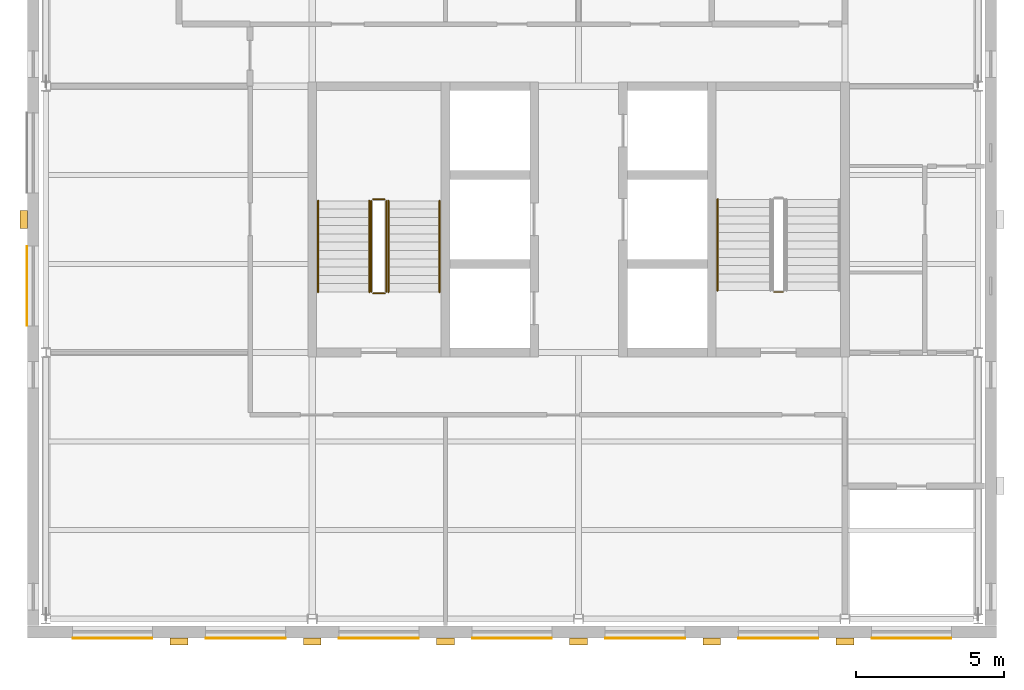
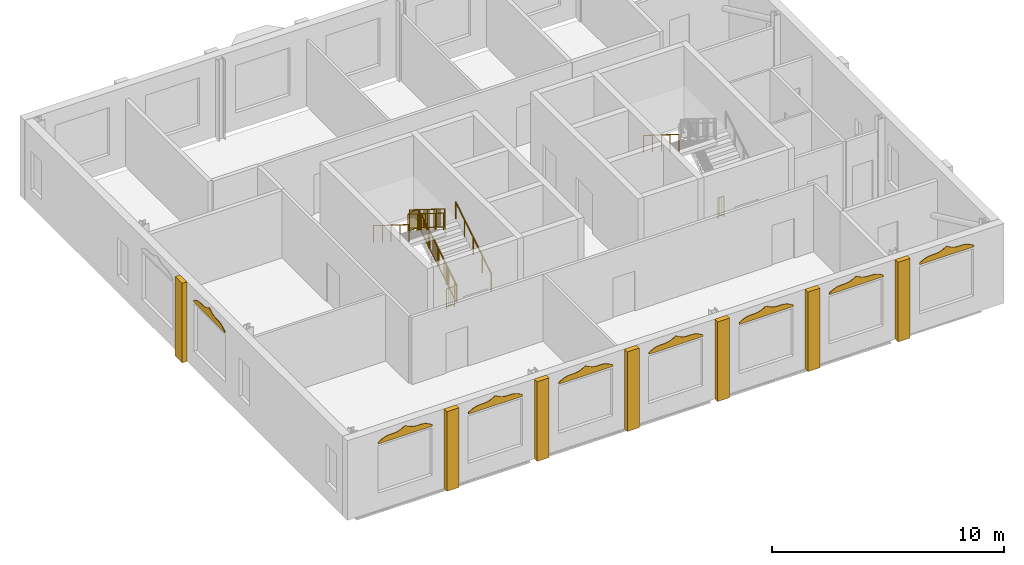
# One storey, part 8 of 9: 15 coverings, 10 railings.
"""IFC4 building model written with IfcOpenShell, lengths in metres."""

from ifc_helpers import new_model, si_unit, direction, frame, origin, origin_2d, place, context, subcontext, project, spatial, polyline, rectangle, circle, outline, extrude, material, layer, layer_set, type_object, element, save


model = new_model("IFC4")

# Units and contexts
model_context = context("Model", 3, precision=1e-05, world=origin(), true_north=direction((0.0, 1.0)))
body_context = subcontext(model_context, "Body", "Model", "MODEL_VIEW")
ifc_project = project(units=[si_unit("LENGTHUNIT", "METRE"), si_unit("AREAUNIT", "SQUARE_METRE"), si_unit("VOLUMEUNIT", "CUBIC_METRE"), si_unit("PLANEANGLEUNIT", "RADIAN"), si_unit("MASSUNIT", "GRAM", prefix="KILO")], contexts=[model_context])

# Site, building, storey
site_placement = place(None, origin())
site = spatial("IfcSite", under=ifc_project, at=site_placement, CompositionType="ELEMENT")
building_placement = place(site_placement, origin())
building = spatial("IfcBuilding", under=site, at=building_placement, Name="Hortulan Conservatory and Botanical Research Centre", CompositionType="ELEMENT")
storey_placement = place(building_placement, frame((0.0, 0.0, 36.0)))
storey = spatial("IfcBuildingStorey", under=building, at=storey_placement, Name="L08", CompositionType="ELEMENT", Elevation=36.0)

# Coverings
ifc_material_1 = material(Name="Faience cladding, cream glaze (non-combustible)", Category="ceramic")
ifc_layer_1 = layer(ifc_material_1, 0.030029296875)
ifc_layer_set_1 = layer_set([ifc_layer_1], Name="Faience Ogee Head Panel Cream 2700x500")
covering_type_1 = type_object("IfcCoveringType", Name="Faience Ogee Head Panel Cream 2700x500", PredefinedType="CLADDING", material=ifc_layer_set_1)
for number, where, z_axis, x_axis, name in (
    (1, (3.60009765625, -0.65087890625, 3.52001953125), (0.0, 0.0, 1.0), (-1.0, 0.0, 0.0), "Ogee head panel"),
    (2, (26.10009765625, -0.65087890625, 3.52001953125), (0.0, 0.0, 1.0), (-1.0, 0.0, 0.0), "Ogee head panel"),
    (3, (30.60009765625, -0.65087890625, 3.52001953125), (0.0, 0.0, 1.0), (-1.0, 0.0, 0.0), "Ogee head panel"),
):
    element("IfcCovering", number, at=place(storey_placement, frame(where, z_axis=z_axis, x_axis=x_axis)), inside=storey, type_object=covering_type_1, Name=name, PredefinedType="CLADDING", context=body_context, shape_type="SweptSolid", body=[
        extrude(outline(polyline([(0.0, 0.0), (2.699951171875, 0.0), (2.699951171875, 0.080078125), (2.58740234375, 0.148681640625), (2.47509765625, 0.208251953125), (2.362548828125, 0.252197265625), (2.25, 0.278076171875), (2.137451171875, 0.28857421875), (2.02490234375, 0.2900390625), (1.91259765625, 0.291259765625), (1.800048828125, 0.3017578125), (1.6875, 0.327880859375), (1.574951171875, 0.371826171875), (1.46240234375, 0.431396484375), (1.35009765625, 0.5), (1.237548828125, 0.431396484375), (1.125, 0.371826171875), (1.012451171875, 0.327880859375), (0.89990234375, 0.3017578125), (0.78759765625, 0.291259765625), (0.675048828125, 0.2900390625), (0.5625, 0.28857421875), (0.449951171875, 0.278076171875), (0.33740234375, 0.252197265625), (0.22509765625, 0.208251953125), (0.112548828125, 0.148681640625), (0.0, 0.080078125), (0.0, 0.0)])), frame((0.0, 0.01513671875, 0.0), z_axis=(0.0, -1.0, 0.0), x_axis=(1.0, 0.0, 0.0)), (0.0, 0.0, 1.0), 0.030029296875),
    ])
ifc_material_2 = material(Name="Faience cladding, waratah crimson glaze (non-combustible)", Category="ceramic")
ifc_layer_2 = layer(ifc_material_2, 0.030029296875)
ifc_layer_set_2 = layer_set([ifc_layer_2], Name="Faience Ogee Head Panel Crimson 2700x500")
covering_type_2 = type_object("IfcCoveringType", Name="Faience Ogee Head Panel Crimson 2700x500", PredefinedType="CLADDING", material=ifc_layer_set_2)
for number, where, z_axis, x_axis, name in (
    (4, (8.10009765625, -0.65087890625, 3.52001953125), (0.0, 0.0, 1.0), (-1.0, 0.0, 0.0), "Ogee head panel"),
    (5, (12.60009765625, -0.65087890625, 3.52001953125), (0.0, 0.0, 1.0), (-1.0, 0.0, 0.0), "Ogee head panel"),
    (6, (-0.639892578125, 9.89990234375, 3.52001953125), (0.0, 0.0, 1.0), (0.0, 1.0, 0.0), "Ogee head panel"),
):
    element("IfcCovering", number, at=place(storey_placement, frame(where, z_axis=z_axis, x_axis=x_axis)), inside=storey, type_object=covering_type_2, Name=name, PredefinedType="CLADDING", context=body_context, shape_type="SweptSolid", body=[
        extrude(outline(polyline([(0.0, 0.0), (2.699951171875, 0.0), (2.699951171875, 0.080078125), (2.58740234375, 0.148681640625), (2.47509765625, 0.208251953125), (2.362548828125, 0.252197265625), (2.25, 0.278076171875), (2.137451171875, 0.28857421875), (2.02490234375, 0.2900390625), (1.91259765625, 0.291259765625), (1.800048828125, 0.3017578125), (1.6875, 0.327880859375), (1.574951171875, 0.371826171875), (1.46240234375, 0.431396484375), (1.35009765625, 0.5), (1.237548828125, 0.431396484375), (1.125, 0.371826171875), (1.012451171875, 0.327880859375), (0.89990234375, 0.3017578125), (0.78759765625, 0.291259765625), (0.675048828125, 0.2900390625), (0.5625, 0.28857421875), (0.449951171875, 0.278076171875), (0.33740234375, 0.252197265625), (0.22509765625, 0.208251953125), (0.112548828125, 0.148681640625), (0.0, 0.080078125), (0.0, 0.0)])), frame((0.0, 0.01513671875, 0.0), z_axis=(0.0, -1.0, 0.0), x_axis=(1.0, 0.0, 0.0)), (0.0, 0.0, 1.0), 0.030029296875),
    ])
ifc_material_3 = material(Name="Faience cladding, harbour teal glaze (non-combustible)", Category="ceramic")
ifc_layer_3 = layer(ifc_material_3, 0.030029296875)
ifc_layer_set_3 = layer_set([ifc_layer_3], Name="Faience Ogee Head Panel Teal 2700x500")
covering_type_3 = type_object("IfcCoveringType", Name="Faience Ogee Head Panel Teal 2700x500", PredefinedType="CLADDING", material=ifc_layer_set_3)
for number, where, z_axis, x_axis, name in (
    (7, (17.10009765625, -0.65087890625, 3.52001953125), (0.0, 0.0, 1.0), (-1.0, 0.0, 0.0), "Ogee head panel"),
    (8, (21.60009765625, -0.65087890625, 3.52001953125), (0.0, 0.0, 1.0), (-1.0, 0.0, 0.0), "Ogee head panel"),
):
    element("IfcCovering", number, at=place(storey_placement, frame(where, z_axis=z_axis, x_axis=x_axis)), inside=storey, type_object=covering_type_3, Name=name, PredefinedType="CLADDING", context=body_context, shape_type="SweptSolid", body=[
        extrude(outline(polyline([(0.0, 0.0), (2.699951171875, 0.0), (2.699951171875, 0.080078125), (2.58740234375, 0.148681640625), (2.47509765625, 0.208251953125), (2.362548828125, 0.252197265625), (2.25, 0.278076171875), (2.137451171875, 0.28857421875), (2.02490234375, 0.2900390625), (1.91259765625, 0.291259765625), (1.800048828125, 0.3017578125), (1.6875, 0.327880859375), (1.574951171875, 0.371826171875), (1.46240234375, 0.431396484375), (1.35009765625, 0.5), (1.237548828125, 0.431396484375), (1.125, 0.371826171875), (1.012451171875, 0.327880859375), (0.89990234375, 0.3017578125), (0.78759765625, 0.291259765625), (0.675048828125, 0.2900390625), (0.5625, 0.28857421875), (0.449951171875, 0.278076171875), (0.33740234375, 0.252197265625), (0.22509765625, 0.208251953125), (0.112548828125, 0.148681640625), (0.0, 0.080078125), (0.0, 0.0)])), frame((0.0, 0.01513671875, 0.0), z_axis=(0.0, -1.0, 0.0), x_axis=(1.0, 0.0, 0.0)), (0.0, 0.0, 1.0), 0.030029296875),
    ])
ifc_layer_4 = layer(ifc_material_1, 0.25)
ifc_layer_set_4 = layer_set([ifc_layer_4], Name="Faience Pilaster 600x250")
covering_type_4 = type_object("IfcCoveringType", Name="Faience Pilaster 600x250", PredefinedType="CLADDING", material=ifc_layer_set_4)
for number, where, z_axis, x_axis, name in (
    (9, (27.0, -0.760986328125, 0.0), (0.0, 0.0, 1.0), (-1.0, 0.0, 0.0), "Pier"),
    (10, (22.5, -0.760986328125, 0.0), (0.0, 0.0, 1.0), (-1.0, 0.0, 0.0), "Pier"),
    (11, (18.0, -0.760986328125, 0.0), (0.0, 0.0, 1.0), (-1.0, 0.0, 0.0), "Pier"),
    (12, (13.5, -0.760986328125, 0.0), (0.0, 0.0, 1.0), (-1.0, 0.0, 0.0), "Pier"),
    (13, (9.0, -0.760986328125, 0.0), (0.0, 0.0, 1.0), (-1.0, 0.0, 0.0), "Pier"),
    (14, (4.5, -0.760986328125, 0.0), (0.0, 0.0, 1.0), (-1.0, 0.0, 0.0), "Pier"),
    (15, (-0.75, 13.5, 0.0), (0.0, 0.0, 1.0), (0.0, 1.0, 0.0), "Pier"),
):
    element("IfcCovering", number, at=place(storey_placement, frame(where, z_axis=z_axis, x_axis=x_axis)), inside=storey, type_object=covering_type_4, Name=name, PredefinedType="CLADDING", context=body_context, shape_type="SweptSolid", body=[
        extrude(rectangle(XDim=0.60009765625, YDim=0.25, at=origin_2d()), origin(), (0.0, 0.0, 1.0), 4.199951171875),
    ])

# Railings
ifc_material_4 = material(Name="Steel balustrade, bronze-charcoal paint", Category="steel")
railing_type_1 = type_object("IfcRailingType", Name="Stair Guard 1100", PredefinedType="GUARDRAIL", material=ifc_material_4)
railing_1_placement = place(storey_placement, frame((11.5, 11.050048828125, 0.175048828125)))
element("IfcRailing", 16, at=railing_1_placement, inside=storey, type_object=railing_type_1, Name="Guard T1 L08 stair 1", PredefinedType="GUARDRAIL", context=body_context, shape_type="SweptSolid", body=[
    extrude(circle(Radius=0.02392578125, at=origin_2d()), frame((0.0, 0.0, 1.076171875), z_axis=(0.0, 0.847979421464, 0.530029150871), x_axis=(-1.0, 0.0, 0.0)), (0.0, 0.0, 1.0), 3.632080078125),
    extrude(circle(Radius=0.02392578125, at=origin_2d()), frame((0.0, 0.0, 0.1240234375), z_axis=(0.0, 0.847979421464, 0.530029150871), x_axis=(-1.0, 0.0, 0.0)), (0.0, 0.0, 1.0), 3.632080078125),
    extrude(circle(Radius=0.008056640625, at=origin_2d()), frame((0.0, 0.090576171875, 0.204833984375)), (0.0, 0.0, 1.0), 0.90380859375),
    extrude(circle(Radius=0.008056640625, at=origin_2d()), frame((0.0, 0.18115234375, 0.261474609375)), (0.0, 0.0, 1.0), 0.90380859375),
    extrude(circle(Radius=0.008056640625, at=origin_2d()), frame((0.0, 0.271728515625, 0.318115234375)), (0.0, 0.0, 1.0), 0.90380859375),
    extrude(circle(Radius=0.008056640625, at=origin_2d()), frame((0.0, 0.3623046875, 0.374755859375)), (0.0, 0.0, 1.0), 0.90380859375),
    extrude(circle(Radius=0.008056640625, at=origin_2d()), frame((0.0, 0.452880859375, 0.431396484375)), (0.0, 0.0, 1.0), 0.90380859375),
    extrude(circle(Radius=0.008056640625, at=origin_2d()), frame((0.0, 0.54345703125, 0.48779296875)), (0.0, 0.0, 1.0), 0.90380859375),
    extrude(circle(Radius=0.008056640625, at=origin_2d()), frame((0.0, 0.634033203125, 0.54443359375)), (0.0, 0.0, 1.0), 0.90380859375),
    extrude(circle(Radius=0.008056640625, at=origin_2d()), frame((0.0, 0.724609375, 0.60107421875)), (0.0, 0.0, 1.0), 0.90380859375),
    extrude(circle(Radius=0.008056640625, at=origin_2d()), frame((0.0, 0.815185546875, 0.65771484375)), (0.0, 0.0, 1.0), 0.90380859375),
    extrude(circle(Radius=0.008056640625, at=origin_2d()), frame((0.0, 0.90576171875, 0.71435546875)), (0.0, 0.0, 1.0), 0.90380859375),
    extrude(circle(Radius=0.008056640625, at=origin_2d()), frame((0.0, 0.996337890625, 0.77099609375)), (0.0, 0.0, 1.0), 0.90380859375),
    extrude(circle(Radius=0.008056640625, at=origin_2d()), frame((0.0, 1.0869140625, 0.82763671875)), (0.0, 0.0, 1.0), 0.90380859375),
    extrude(circle(Radius=0.008056640625, at=origin_2d()), frame((0.0, 1.177490234375, 0.88427734375)), (0.0, 0.0, 1.0), 0.90380859375),
    extrude(circle(Radius=0.008056640625, at=origin_2d()), frame((0.0, 1.26806640625, 0.94091796875)), (0.0, 0.0, 1.0), 0.90380859375),
    extrude(circle(Radius=0.008056640625, at=origin_2d()), frame((0.0, 1.358642578125, 0.99755859375)), (0.0, 0.0, 1.0), 0.90380859375),
    extrude(circle(Radius=0.008056640625, at=origin_2d()), frame((0.0, 1.44921875, 1.05419921875)), (0.0, 0.0, 1.0), 0.90380859375),
    extrude(circle(Radius=0.008056640625, at=origin_2d()), frame((0.0, 1.5400390625, 1.11083984375)), (0.0, 0.0, 1.0), 0.90380859375),
    extrude(circle(Radius=0.008056640625, at=origin_2d()), frame((0.0, 1.630615234375, 1.167236328125)), (0.0, 0.0, 1.0), 0.90380859375),
    extrude(circle(Radius=0.008056640625, at=origin_2d()), frame((0.0, 1.72119140625, 1.223876953125)), (0.0, 0.0, 1.0), 0.90380859375),
    extrude(circle(Radius=0.008056640625, at=origin_2d()), frame((0.0, 1.811767578125, 1.280517578125)), (0.0, 0.0, 1.0), 0.90380859375),
    extrude(circle(Radius=0.008056640625, at=origin_2d()), frame((0.0, 1.90234375, 1.337158203125)), (0.0, 0.0, 1.0), 0.90380859375),
    extrude(circle(Radius=0.008056640625, at=origin_2d()), frame((0.0, 1.992919921875, 1.393798828125)), (0.0, 0.0, 1.0), 0.90380859375),
    extrude(circle(Radius=0.008056640625, at=origin_2d()), frame((0.0, 2.08349609375, 1.450439453125)), (0.0, 0.0, 1.0), 0.90380859375),
    extrude(circle(Radius=0.008056640625, at=origin_2d()), frame((0.0, 2.174072265625, 1.507080078125)), (0.0, 0.0, 1.0), 0.90380859375),
    extrude(circle(Radius=0.008056640625, at=origin_2d()), frame((0.0, 2.2646484375, 1.563720703125)), (0.0, 0.0, 1.0), 0.90380859375),
    extrude(circle(Radius=0.008056640625, at=origin_2d()), frame((0.0, 2.355224609375, 1.620361328125)), (0.0, 0.0, 1.0), 0.90380859375),
    extrude(circle(Radius=0.008056640625, at=origin_2d()), frame((0.0, 2.44580078125, 1.677001953125)), (0.0, 0.0, 1.0), 0.90380859375),
    extrude(circle(Radius=0.008056640625, at=origin_2d()), frame((0.0, 2.536376953125, 1.733642578125)), (0.0, 0.0, 1.0), 0.90380859375),
    extrude(circle(Radius=0.008056640625, at=origin_2d()), frame((0.0, 2.626953125, 1.7900390625)), (0.0, 0.0, 1.0), 0.90380859375),
    extrude(circle(Radius=0.008056640625, at=origin_2d()), frame((0.0, 2.717529296875, 1.8466796875)), (0.0, 0.0, 1.0), 0.90380859375),
    extrude(circle(Radius=0.008056640625, at=origin_2d()), frame((0.0, 2.80810546875, 1.9033203125)), (0.0, 0.0, 1.0), 0.90380859375),
    extrude(circle(Radius=0.008056640625, at=origin_2d()), frame((0.0, 2.898681640625, 1.9599609375)), (0.0, 0.0, 1.0), 0.90380859375),
    extrude(circle(Radius=0.008056640625, at=origin_2d()), frame((0.0, 2.9892578125, 2.0166015625)), (0.0, 0.0, 1.0), 0.90380859375),
    extrude(circle(Radius=0.02099609375, at=origin_2d()), origin(), (0.0, 0.0, 1.0), 1.052001953125),
    extrude(circle(Radius=0.02099609375, at=origin_2d()), frame((0.0, 0.77001953125, 0.481201171875)), (0.0, 0.0, 1.0), 1.052001953125),
    extrude(circle(Radius=0.02099609375, at=origin_2d()), frame((0.0, 1.5400390625, 0.96240234375)), (0.0, 0.0, 1.0), 1.052001953125),
    extrude(circle(Radius=0.02099609375, at=origin_2d()), frame((0.0, 2.309814453125, 1.44384765625)), (0.0, 0.0, 1.0), 1.052001953125),
    extrude(circle(Radius=0.02099609375, at=origin_2d()), frame((0.0, 3.079833984375, 1.925048828125)), (0.0, 0.0, 1.0), 1.052001953125),
])
railing_2_placement = place(storey_placement, frame((11.449951171875, 14.179931640625, 2.10009765625)))
element("IfcRailing", 17, at=railing_2_placement, inside=storey, type_object=railing_type_1, Name="Guard T1 L08 stair 2", PredefinedType="GUARDRAIL", context=body_context, shape_type="SweptSolid", body=[
    extrude(circle(Radius=0.02392578125, at=origin_2d()), frame((0.0, 0.0, 1.076171875), z_axis=(-1.0, 0.0, 0.0), x_axis=(0.0, -1.0, 0.0)), (0.0, 0.0, 1.0), 0.39990234375),
    extrude(circle(Radius=0.02392578125, at=origin_2d()), frame((0.0, 0.0, 0.1240234375), z_axis=(-1.0, 0.0, 0.0), x_axis=(0.0, -1.0, 0.0)), (0.0, 0.0, 1.0), 0.39990234375),
    extrude(circle(Radius=0.008056640625, at=origin_2d()), frame((-0.10009765625, 0.0, 0.148193359375)), (0.0, 0.0, 1.0), 0.90380859375),
    extrude(circle(Radius=0.008056640625, at=origin_2d()), frame((-0.199951171875, 0.0, 0.148193359375)), (0.0, 0.0, 1.0), 0.90380859375),
    extrude(circle(Radius=0.008056640625, at=origin_2d()), frame((-0.2998046875, 0.0, 0.148193359375)), (0.0, 0.0, 1.0), 0.90380859375),
    extrude(circle(Radius=0.02099609375, at=origin_2d()), origin(), (0.0, 0.0, 1.0), 1.052001953125),
    extrude(circle(Radius=0.02099609375, at=origin_2d()), frame((-0.39990234375, 0.0, 0.0)), (0.0, 0.0, 1.0), 1.052001953125),
])
railing_3_placement = place(storey_placement, frame((11.0, 14.1298828125, 2.27490234375)))
element("IfcRailing", 18, at=railing_3_placement, inside=storey, type_object=railing_type_1, Name="Guard T1 L08 stair 3", PredefinedType="GUARDRAIL", context=body_context, shape_type="SweptSolid", body=[
    extrude(circle(Radius=0.02392578125, at=origin_2d()), frame((0.0, 0.0, 1.076171875), z_axis=(0.0, -0.847979421464, 0.530029150871), x_axis=(1.0, 0.0, 0.0)), (0.0, 0.0, 1.0), 3.632080078125),
    extrude(circle(Radius=0.02392578125, at=origin_2d()), frame((0.0, 0.0, 0.1240234375), z_axis=(0.0, -0.847979421464, 0.530029150871), x_axis=(1.0, 0.0, 0.0)), (0.0, 0.0, 1.0), 3.632080078125),
    extrude(circle(Radius=0.008056640625, at=origin_2d()), frame((0.0, -0.090576171875, 0.204833984375)), (0.0, 0.0, 1.0), 0.90380859375),
    extrude(circle(Radius=0.008056640625, at=origin_2d()), frame((0.0, -0.18115234375, 0.261474609375)), (0.0, 0.0, 1.0), 0.90380859375),
    extrude(circle(Radius=0.008056640625, at=origin_2d()), frame((0.0, -0.271728515625, 0.318115234375)), (0.0, 0.0, 1.0), 0.90380859375),
    extrude(circle(Radius=0.008056640625, at=origin_2d()), frame((0.0, -0.3623046875, 0.374755859375)), (0.0, 0.0, 1.0), 0.90380859375),
    extrude(circle(Radius=0.008056640625, at=origin_2d()), frame((0.0, -0.452880859375, 0.431396484375)), (0.0, 0.0, 1.0), 0.90380859375),
    extrude(circle(Radius=0.008056640625, at=origin_2d()), frame((0.0, -0.54345703125, 0.48779296875)), (0.0, 0.0, 1.0), 0.90380859375),
    extrude(circle(Radius=0.008056640625, at=origin_2d()), frame((0.0, -0.634033203125, 0.54443359375)), (0.0, 0.0, 1.0), 0.90380859375),
    extrude(circle(Radius=0.008056640625, at=origin_2d()), frame((0.0, -0.724609375, 0.60107421875)), (0.0, 0.0, 1.0), 0.90380859375),
    extrude(circle(Radius=0.008056640625, at=origin_2d()), frame((0.0, -0.815185546875, 0.65771484375)), (0.0, 0.0, 1.0), 0.90380859375),
    extrude(circle(Radius=0.008056640625, at=origin_2d()), frame((0.0, -0.90576171875, 0.71435546875)), (0.0, 0.0, 1.0), 0.90380859375),
    extrude(circle(Radius=0.008056640625, at=origin_2d()), frame((0.0, -0.996337890625, 0.77099609375)), (0.0, 0.0, 1.0), 0.90380859375),
    extrude(circle(Radius=0.008056640625, at=origin_2d()), frame((0.0, -1.0869140625, 0.82763671875)), (0.0, 0.0, 1.0), 0.90380859375),
    extrude(circle(Radius=0.008056640625, at=origin_2d()), frame((0.0, -1.177490234375, 0.88427734375)), (0.0, 0.0, 1.0), 0.90380859375),
    extrude(circle(Radius=0.008056640625, at=origin_2d()), frame((0.0, -1.26806640625, 0.94091796875)), (0.0, 0.0, 1.0), 0.90380859375),
    extrude(circle(Radius=0.008056640625, at=origin_2d()), frame((0.0, -1.358642578125, 0.99755859375)), (0.0, 0.0, 1.0), 0.90380859375),
    extrude(circle(Radius=0.008056640625, at=origin_2d()), frame((0.0, -1.44921875, 1.05419921875)), (0.0, 0.0, 1.0), 0.90380859375),
    extrude(circle(Radius=0.008056640625, at=origin_2d()), frame((0.0, -1.5400390625, 1.11083984375)), (0.0, 0.0, 1.0), 0.90380859375),
    extrude(circle(Radius=0.008056640625, at=origin_2d()), frame((0.0, -1.630615234375, 1.167236328125)), (0.0, 0.0, 1.0), 0.90380859375),
    extrude(circle(Radius=0.008056640625, at=origin_2d()), frame((0.0, -1.72119140625, 1.223876953125)), (0.0, 0.0, 1.0), 0.90380859375),
    extrude(circle(Radius=0.008056640625, at=origin_2d()), frame((0.0, -1.811767578125, 1.280517578125)), (0.0, 0.0, 1.0), 0.90380859375),
    extrude(circle(Radius=0.008056640625, at=origin_2d()), frame((0.0, -1.90234375, 1.337158203125)), (0.0, 0.0, 1.0), 0.90380859375),
    extrude(circle(Radius=0.008056640625, at=origin_2d()), frame((0.0, -1.992919921875, 1.393798828125)), (0.0, 0.0, 1.0), 0.90380859375),
    extrude(circle(Radius=0.008056640625, at=origin_2d()), frame((0.0, -2.08349609375, 1.450439453125)), (0.0, 0.0, 1.0), 0.90380859375),
    extrude(circle(Radius=0.008056640625, at=origin_2d()), frame((0.0, -2.174072265625, 1.507080078125)), (0.0, 0.0, 1.0), 0.90380859375),
    extrude(circle(Radius=0.008056640625, at=origin_2d()), frame((0.0, -2.2646484375, 1.563720703125)), (0.0, 0.0, 1.0), 0.90380859375),
    extrude(circle(Radius=0.008056640625, at=origin_2d()), frame((0.0, -2.355224609375, 1.620361328125)), (0.0, 0.0, 1.0), 0.90380859375),
    extrude(circle(Radius=0.008056640625, at=origin_2d()), frame((0.0, -2.44580078125, 1.677001953125)), (0.0, 0.0, 1.0), 0.90380859375),
    extrude(circle(Radius=0.008056640625, at=origin_2d()), frame((0.0, -2.536376953125, 1.733642578125)), (0.0, 0.0, 1.0), 0.90380859375),
    extrude(circle(Radius=0.008056640625, at=origin_2d()), frame((0.0, -2.626953125, 1.7900390625)), (0.0, 0.0, 1.0), 0.90380859375),
    extrude(circle(Radius=0.008056640625, at=origin_2d()), frame((0.0, -2.717529296875, 1.8466796875)), (0.0, 0.0, 1.0), 0.90380859375),
    extrude(circle(Radius=0.008056640625, at=origin_2d()), frame((0.0, -2.80810546875, 1.9033203125)), (0.0, 0.0, 1.0), 0.90380859375),
    extrude(circle(Radius=0.008056640625, at=origin_2d()), frame((0.0, -2.898681640625, 1.9599609375)), (0.0, 0.0, 1.0), 0.90380859375),
    extrude(circle(Radius=0.008056640625, at=origin_2d()), frame((0.0, -2.9892578125, 2.0166015625)), (0.0, 0.0, 1.0), 0.90380859375),
    extrude(circle(Radius=0.02099609375, at=origin_2d()), origin(), (0.0, 0.0, 1.0), 1.052001953125),
    extrude(circle(Radius=0.02099609375, at=origin_2d()), frame((0.0, -0.77001953125, 0.481201171875)), (0.0, 0.0, 1.0), 1.052001953125),
    extrude(circle(Radius=0.02099609375, at=origin_2d()), frame((0.0, -1.5400390625, 0.96240234375)), (0.0, 0.0, 1.0), 1.052001953125),
    extrude(circle(Radius=0.02099609375, at=origin_2d()), frame((0.0, -2.309814453125, 1.44384765625)), (0.0, 0.0, 1.0), 1.052001953125),
    extrude(circle(Radius=0.02099609375, at=origin_2d()), frame((0.0, -3.079833984375, 1.925048828125)), (0.0, 0.0, 1.0), 1.052001953125),
])
railing_4_placement = place(storey_placement, frame((11.449951171875, 11.0, 0.0)))
element("IfcRailing", 19, at=railing_4_placement, inside=storey, type_object=railing_type_1, Name="Guard T1 L08 stair 4", PredefinedType="GUARDRAIL", context=body_context, shape_type="SweptSolid", body=[
    extrude(circle(Radius=0.02392578125, at=origin_2d()), frame((0.0, 0.0, 1.076171875), z_axis=(-1.0, 0.0, 0.0), x_axis=(0.0, -1.0, 0.0)), (0.0, 0.0, 1.0), 0.39990234375),
    extrude(circle(Radius=0.02392578125, at=origin_2d()), frame((0.0, 0.0, 0.1240234375), z_axis=(-1.0, 0.0, 0.0), x_axis=(0.0, -1.0, 0.0)), (0.0, 0.0, 1.0), 0.39990234375),
    extrude(circle(Radius=0.008056640625, at=origin_2d()), frame((-0.10009765625, 0.0, 0.148193359375)), (0.0, 0.0, 1.0), 0.90380859375),
    extrude(circle(Radius=0.008056640625, at=origin_2d()), frame((-0.199951171875, 0.0, 0.148193359375)), (0.0, 0.0, 1.0), 0.90380859375),
    extrude(circle(Radius=0.008056640625, at=origin_2d()), frame((-0.2998046875, 0.0, 0.148193359375)), (0.0, 0.0, 1.0), 0.90380859375),
    extrude(circle(Radius=0.02099609375, at=origin_2d()), origin(), (0.0, 0.0, 1.0), 1.052001953125),
    extrude(circle(Radius=0.02099609375, at=origin_2d()), frame((-0.39990234375, 0.0, 0.0)), (0.0, 0.0, 1.0), 1.052001953125),
])
railing_5_placement = place(storey_placement, frame((24.89990234375, 11.050048828125, 0.0)))
element("IfcRailing", 20, at=railing_5_placement, inside=storey, type_object=railing_type_1, Name="Guard T2 L08 stair 4", PredefinedType="GUARDRAIL", context=body_context, shape_type="SweptSolid", body=[
    extrude(circle(Radius=0.02392578125, at=origin_2d()), frame((0.0, 0.0, 1.076171875), z_axis=(-1.0, 0.0, 0.0), x_axis=(0.0, -1.0, 0.0)), (0.0, 0.0, 1.0), 0.2998046875),
    extrude(circle(Radius=0.02392578125, at=origin_2d()), frame((0.0, 0.0, 0.1240234375), z_axis=(-1.0, 0.0, 0.0), x_axis=(0.0, -1.0, 0.0)), (0.0, 0.0, 1.0), 0.2998046875),
    extrude(circle(Radius=0.008056640625, at=origin_2d()), frame((-0.099853515625, 0.0, 0.148193359375)), (0.0, 0.0, 1.0), 0.90380859375),
    extrude(circle(Radius=0.008056640625, at=origin_2d()), frame((-0.199951171875, 0.0, 0.148193359375)), (0.0, 0.0, 1.0), 0.90380859375),
    extrude(circle(Radius=0.02099609375, at=origin_2d()), origin(), (0.0, 0.0, 1.0), 1.052001953125),
    extrude(circle(Radius=0.02099609375, at=origin_2d()), frame((-0.2998046875, 0.0, 0.0)), (0.0, 0.0, 1.0), 1.052001953125),
])
ifc_material_5 = material(Name="Bronze handrail, polished", Category="metal")
railing_type_2 = type_object("IfcRailingType", Name="Stair Handrail 900", PredefinedType="HANDRAIL", material=ifc_material_5)
railing_6_placement = place(storey_placement, frame((13.300048828125, 11.050048828125, 0.175048828125)))
element("IfcRailing", 21, at=railing_6_placement, inside=storey, type_object=railing_type_2, Name="Handrail T1 L08 stair 1", PredefinedType="HANDRAIL", context=body_context, shape_type="SweptSolid", body=[
    extrude(circle(Radius=0.02392578125, at=origin_2d()), frame((0.0, 0.0, 0.8759765625), z_axis=(0.0, 0.847979421464, 0.530029150871), x_axis=(-1.0, 0.0, 0.0)), (0.0, 0.0, 1.0), 3.632080078125),
    extrude(circle(Radius=0.02099609375, at=origin_2d()), origin(), (0.0, 0.0, 1.0), 0.851806640625),
    extrude(circle(Radius=0.02099609375, at=origin_2d()), frame((0.0, 0.77001953125, 0.481201171875)), (0.0, 0.0, 1.0), 0.851806640625),
    extrude(circle(Radius=0.02099609375, at=origin_2d()), frame((0.0, 1.5400390625, 0.96240234375)), (0.0, 0.0, 1.0), 0.851806640625),
    extrude(circle(Radius=0.02099609375, at=origin_2d()), frame((0.0, 2.309814453125, 1.44384765625)), (0.0, 0.0, 1.0), 0.851806640625),
    extrude(circle(Radius=0.02099609375, at=origin_2d()), frame((0.0, 3.079833984375, 1.925048828125)), (0.0, 0.0, 1.0), 0.851806640625),
])
railing_7_placement = place(storey_placement, frame((9.199951171875, 14.1298828125, 2.27490234375)))
element("IfcRailing", 22, at=railing_7_placement, inside=storey, type_object=railing_type_2, Name="Handrail T1 L08 stair 2", PredefinedType="HANDRAIL", context=body_context, shape_type="SweptSolid", body=[
    extrude(circle(Radius=0.02392578125, at=origin_2d()), frame((0.0, 0.0, 0.8759765625), z_axis=(0.0, -0.847979421464, 0.530029150871), x_axis=(1.0, 0.0, 0.0)), (0.0, 0.0, 1.0), 3.632080078125),
    extrude(circle(Radius=0.02099609375, at=origin_2d()), origin(), (0.0, 0.0, 1.0), 0.851806640625),
    extrude(circle(Radius=0.02099609375, at=origin_2d()), frame((0.0, -0.77001953125, 0.481201171875)), (0.0, 0.0, 1.0), 0.851806640625),
    extrude(circle(Radius=0.02099609375, at=origin_2d()), frame((0.0, -1.5400390625, 0.96240234375)), (0.0, 0.0, 1.0), 0.851806640625),
    extrude(circle(Radius=0.02099609375, at=origin_2d()), frame((0.0, -2.309814453125, 1.44384765625)), (0.0, 0.0, 1.0), 0.851806640625),
    extrude(circle(Radius=0.02099609375, at=origin_2d()), frame((0.0, -3.079833984375, 1.925048828125)), (0.0, 0.0, 1.0), 0.851806640625),
])
railing_8_placement = place(storey_placement, frame((11.570068359375, 11.050048828125, 0.175048828125)))
element("IfcRailing", 23, at=railing_8_placement, inside=storey, type_object=railing_type_2, Name="Handrail T1 L08 stair 3", PredefinedType="HANDRAIL", context=body_context, shape_type="SweptSolid", body=[
    extrude(circle(Radius=0.02392578125, at=origin_2d()), frame((0.0, 0.0, 0.8759765625), z_axis=(0.0, 0.847979421464, 0.530029150871), x_axis=(-1.0, 0.0, 0.0)), (0.0, 0.0, 1.0), 3.632080078125),
    extrude(circle(Radius=0.02099609375, at=origin_2d()), origin(), (0.0, 0.0, 1.0), 0.851806640625),
    extrude(circle(Radius=0.02099609375, at=origin_2d()), frame((0.0, 0.77001953125, 0.481201171875)), (0.0, 0.0, 1.0), 0.851806640625),
    extrude(circle(Radius=0.02099609375, at=origin_2d()), frame((0.0, 1.5400390625, 0.96240234375)), (0.0, 0.0, 1.0), 0.851806640625),
    extrude(circle(Radius=0.02099609375, at=origin_2d()), frame((0.0, 2.309814453125, 1.44384765625)), (0.0, 0.0, 1.0), 0.851806640625),
    extrude(circle(Radius=0.02099609375, at=origin_2d()), frame((0.0, 3.079833984375, 1.925048828125)), (0.0, 0.0, 1.0), 0.851806640625),
])
for number, where, name in (
    (24, (10.929931640625, 14.1298828125, 2.27490234375), "Handrail T1 L08 stair 4"),
    (25, (22.699951171875, 14.179931640625, 2.27490234375), "Handrail T2 L08 stair 2"),
):
    element("IfcRailing", number, at=place(storey_placement, frame(where)), inside=storey, type_object=railing_type_2, Name=name, PredefinedType="HANDRAIL", context=body_context, shape_type="SweptSolid", body=[
        extrude(circle(Radius=0.02392578125, at=origin_2d()), frame((0.0, 0.0, 0.8759765625), z_axis=(0.0, -0.847979421464, 0.530029150871), x_axis=(1.0, 0.0, 0.0)), (0.0, 0.0, 1.0), 3.632080078125),
        extrude(circle(Radius=0.02099609375, at=origin_2d()), origin(), (0.0, 0.0, 1.0), 0.851806640625),
        extrude(circle(Radius=0.02099609375, at=origin_2d()), frame((0.0, -0.77001953125, 0.481201171875)), (0.0, 0.0, 1.0), 0.851806640625),
        extrude(circle(Radius=0.02099609375, at=origin_2d()), frame((0.0, -1.5400390625, 0.96240234375)), (0.0, 0.0, 1.0), 0.851806640625),
        extrude(circle(Radius=0.02099609375, at=origin_2d()), frame((0.0, -2.309814453125, 1.44384765625)), (0.0, 0.0, 1.0), 0.851806640625),
        extrude(circle(Radius=0.02099609375, at=origin_2d()), frame((0.0, -3.079833984375, 1.925048828125)), (0.0, 0.0, 1.0), 0.851806640625),
    ])

save(model, "model.ifc")
